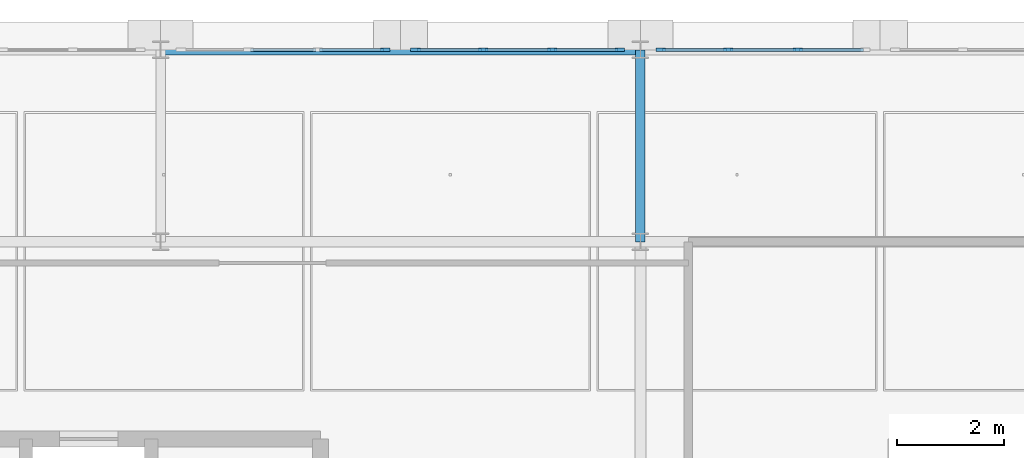
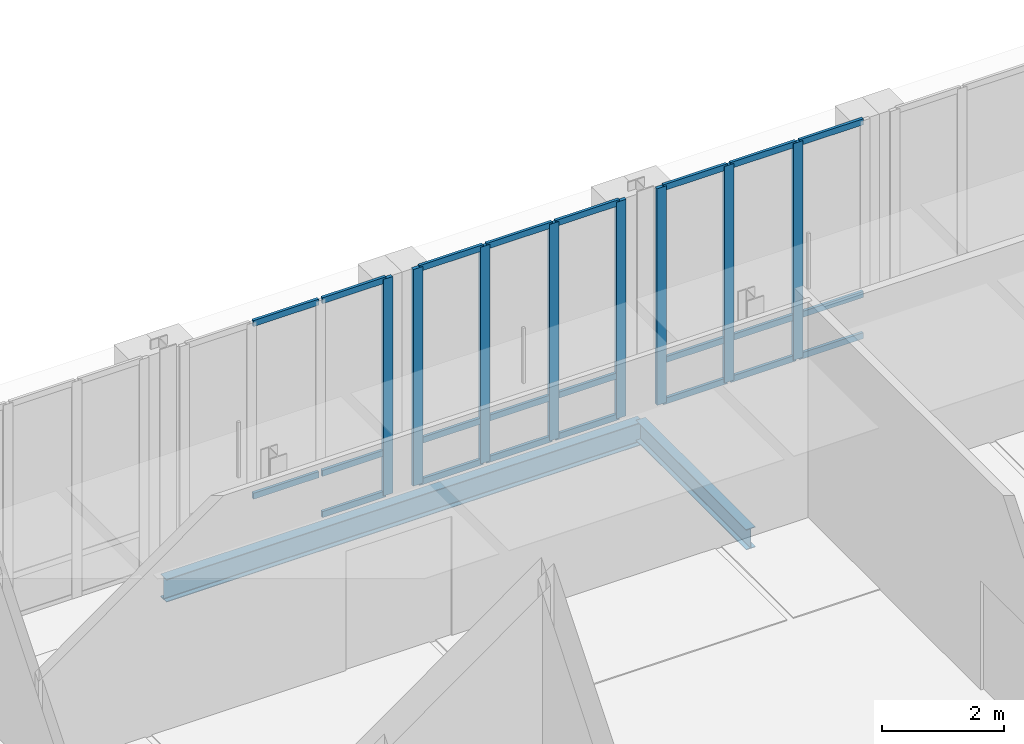
# One storey, part 29 of 89: 31 members, 2 beams, 3 elements without a shape of their own.
"""IFC4 building model written with IfcOpenShell, lengths in metres."""

import ifcopenshell
import ifcopenshell.guid

model = None  # the IFC model being written
_history = None  # IfcOwnerHistory: only IFC2X3 demands one
_inside = {}  # id of a spatial element -> (the spatial element, [elements in it])
_under = {}  # id of a project, library or spatial element -> (it, [spatial elements below it])
_declared = {}  # id of a project -> (the project, [libraries it declares])
_typed = {}  # id of a type object -> (the type object, [elements of that type])
_made_of = {}  # id of a material, layer set ... -> (it, [elements and type objects made of it])


def new_model(schema):
    """Start an empty IFC model of exactly this schema.

    Asked for "IFC4X3", IfcOpenShell would pick the latest addendum, in which some entities
    have other attributes; the version numbers below select the first issue.
    IFC2X3 requires an IfcOwnerHistory on every rooted entity: one is made here for all.
    """
    global model, _history
    if schema == "IFC4X3":
        model = ifcopenshell.file(schema_version=(4, 3, 0, 0))
    else:
        model = ifcopenshell.file(schema=schema)
    _inside.clear()
    _under.clear()
    _declared.clear()
    _typed.clear()
    _made_of.clear()
    _history = None
    if model.schema == "IFC2X3":
        org = make("IfcOrganization", Name="unknown")
        user = make(
            "IfcPersonAndOrganization",
            ThePerson=make("IfcPerson", FamilyName="unknown"),
            TheOrganization=org,
        )
        app = make(
            "IfcApplication",
            ApplicationDeveloper=org,
            Version="unknown",
            ApplicationFullName="unknown",
            ApplicationIdentifier="unknown",
        )
        _history = make(
            "IfcOwnerHistory",
            OwningUser=user,
            OwningApplication=app,
            ChangeAction="ADDED",
            CreationDate=0,
        )
    return model


def make(cls, **values):
    """One entity of the class cls with the attributes given. An attribute that is None is left unset."""
    return model.create_entity(
        cls, **{name: value for name, value in values.items() if value is not None}
    )


def rooted(cls, **values):
    """An entity with a GlobalId (a new one), such as an element, a storey or a relation."""
    return make(cls, GlobalId=ifcopenshell.guid.new(), OwnerHistory=_history, **values)


def si_unit(unit_type, name, prefix=None):
    """IfcSIUnit, for example si_unit("LENGTHUNIT", "METRE", prefix="MILLI")."""
    return make("IfcSIUnit", UnitType=unit_type, Prefix=prefix, Name=name)


def assignment(units):
    """IfcUnitAssignment: the units of a project."""
    return None if units is None else make("IfcUnitAssignment", Units=units)


def point(xyz):
    """IfcCartesianPoint."""
    return None if xyz is None else make("IfcCartesianPoint", Coordinates=xyz)


def direction(xyz):
    """IfcDirection."""
    return None if xyz is None else make("IfcDirection", DirectionRatios=xyz)


def frame(location, z_axis=None, x_axis=None):
    """IfcAxis2Placement3D, a coordinate frame: its origin and axes. An axis left out is left unset."""
    return make(
        "IfcAxis2Placement3D",
        Location=point(location),
        Axis=direction(z_axis),
        RefDirection=direction(x_axis),
    )


def frame_2d(location, x_axis=None):
    """IfcAxis2Placement2D, a coordinate frame in the plane: its origin and x axis."""
    return make(
        "IfcAxis2Placement2D", Location=point(location), RefDirection=direction(x_axis)
    )


def origin():
    """The frame at (0, 0, 0) with its axes left unset."""
    return frame((0.0, 0.0, 0.0))


def origin_2d():
    """The frame at (0, 0) in the plane with its x axis left unset."""
    return frame_2d((0.0, 0.0))


def place(relative_to, where):
    """IfcLocalPlacement: puts the frame where relative to a parent placement (None: the world)."""
    return make(
        "IfcLocalPlacement", PlacementRelTo=relative_to, RelativePlacement=where
    )


def context(
    kind, dimensions, precision=None, world=None, true_north=None, identifier=None
):
    """IfcGeometricRepresentationContext, for example the 3D "Model" context."""
    return make(
        "IfcGeometricRepresentationContext",
        ContextIdentifier=identifier,
        ContextType=kind,
        CoordinateSpaceDimension=dimensions,
        Precision=precision,
        WorldCoordinateSystem=world,
        TrueNorth=true_north,
    )


def subcontext(parent, identifier, kind, view, scale=None):
    """IfcGeometricRepresentationSubContext, for example "Body" below "Model"."""
    return make(
        "IfcGeometricRepresentationSubContext",
        ContextIdentifier=identifier,
        ContextType=kind,
        ParentContext=parent,
        TargetScale=scale,
        TargetView=view,
    )


def project(units=None, contexts=None):
    """IfcProject with its units and contexts."""
    return rooted(
        "IfcProject",
        Name="project",
        RepresentationContexts=contexts,
        UnitsInContext=assignment(units),
    )


def spatial(cls, under=None, at=None, **own):
    """A site, building, storey or space (cls), placed at a placement, below another one or the project."""
    s = rooted(cls, ObjectPlacement=at, **own)
    if under is not None:
        _under.setdefault(under.id(), (under, []))[1].append(s)
    return s


def profile(cls, at=None, kind="AREA", **sizes):
    """A parametric profile (cls). Its sizes go by their IFC names, for example OverallWidth=200.0."""
    return make(cls, ProfileType=kind, Position=at, **sizes)


def rectangle(**sizes):
    """IfcRectangleProfileDef."""
    return profile("IfcRectangleProfileDef", **sizes)


def i_section(**sizes):
    """IfcIShapeProfileDef."""
    return profile("IfcIShapeProfileDef", **sizes)


def extrude(swept, where, along, depth):
    """IfcExtrudedAreaSolid: the profile swept, set in the frame where, extruded along a direction by depth."""
    return make(
        "IfcExtrudedAreaSolid",
        SweptArea=swept,
        Position=where,
        ExtrudedDirection=direction(along),
        Depth=depth,
    )


def shape(context_of_items, identifier, shape_type, items):
    """IfcShapeRepresentation: the items that make up one representation, for example the "Body"."""
    return make(
        "IfcShapeRepresentation",
        ContextOfItems=context_of_items,
        RepresentationIdentifier=identifier,
        RepresentationType=shape_type,
        Items=items,
    )


def material(Name=None, Category=None):
    """IfcMaterial."""
    return make("IfcMaterial", Name=Name, Category=Category)


def material_profile(
    of_material, cross_section, Name=None, Category=None, Priority=None
):
    """IfcMaterialProfile: a cross section and its material."""
    return make(
        "IfcMaterialProfile",
        Name=Name,
        Material=of_material,
        Profile=cross_section,
        Priority=Priority,
        Category=Category,
    )


def profile_set(profiles, Name=None, composite=None):
    """IfcMaterialProfileSet."""
    return make(
        "IfcMaterialProfileSet",
        Name=Name,
        MaterialProfiles=profiles,
        CompositeProfile=composite,
    )


def made_of(thing, what):
    """Note that an element or type object is made of a material, layer set ...; save() writes the relation."""
    if what is not None:
        _made_of.setdefault(what.id(), (what, []))[1].append(thing)
    return thing


def type_object(cls, material=None, **own):
    """A type object (cls), such as IfcWallType, which elements share."""
    return made_of(rooted(cls, **own), material)


def element(
    cls,
    number,
    at=None,
    inside=None,
    cuts=None,
    type_object=None,
    material=None,
    context=None,
    identifier="Body",
    shape_type=None,
    held_by="IfcProductDefinitionShape",
    body=None,
    shapes=None,
    **own,
):
    """One element of the class cls, such as IfcWall. Its Tag is "e" and its number.

    at: its placement. inside: the storey or other place that contains it. cuts: it is an
    opening in that element (IfcRelVoidsElement). A single representation is given by context,
    identifier, shape_type and body (its items); several are given by shapes. held_by: the class
    of the entity that holds the representations. save() writes the other relations.
    """
    e = rooted(cls, Tag="e%d" % number, ObjectPlacement=at, **own)
    if body is not None:
        shapes = [shape(context, identifier, shape_type, body)]
    if shapes is not None:
        e.Representation = make(held_by, Representations=shapes)
    if inside is not None:
        _inside.setdefault(inside.id(), (inside, []))[1].append(e)
    if cuts is not None:
        rooted(
            "IfcRelVoidsElement", RelatingBuildingElement=cuts, RelatedOpeningElement=e
        )
    if type_object is not None:
        _typed.setdefault(type_object.id(), (type_object, []))[1].append(e)
    return made_of(e, material)


def aggregate(whole, parts):
    """IfcRelAggregates: a whole, such as a stair, and the parts it consists of."""
    return rooted("IfcRelAggregates", RelatingObject=whole, RelatedObjects=parts)


def save(model, path):
    """Write the relations noted so far, then the file.

    IfcRelAggregates (storeys below a building ...), IfcRelContainedInSpatialStructure (elements
    in a storey), IfcRelDefinesByType, IfcRelAssociatesMaterial and IfcRelDeclares: one each for
    every whole, place, type object, material and project.
    """
    for whole, parts in _under.values():
        aggregate(whole, parts)
    for where, things in _inside.values():
        rooted(
            "IfcRelContainedInSpatialStructure",
            RelatedElements=things,
            RelatingStructure=where,
        )
    for kind, things in _typed.values():
        rooted("IfcRelDefinesByType", RelatedObjects=things, RelatingType=kind)
    for what, things in _made_of.values():
        rooted("IfcRelAssociatesMaterial", RelatedObjects=things, RelatingMaterial=what)
    for by, libraries in _declared.values():
        rooted("IfcRelDeclares", RelatingContext=by, RelatedDefinitions=libraries)
    model.write(path)


model = new_model("IFC4")

# Units and contexts
model_context = context("Model", 3, precision=1e-05, world=origin(), true_north=direction((0.0, 1.0)))
body_context = subcontext(model_context, "Body", "Model", "MODEL_VIEW")
ifc_project = project(units=[si_unit("LENGTHUNIT", "METRE"), si_unit("AREAUNIT", "SQUARE_METRE"), si_unit("VOLUMEUNIT", "CUBIC_METRE"), si_unit("PLANEANGLEUNIT", "RADIAN"), si_unit("MASSUNIT", "GRAM", prefix="KILO"), si_unit("THERMODYNAMICTEMPERATUREUNIT", "KELVIN"), si_unit("POWERUNIT", "WATT")], contexts=[model_context])

# Site, building, storey
site_placement = place(None, origin())
site = spatial("IfcSite", under=ifc_project, at=site_placement, CompositionType="ELEMENT")
building_placement = place(site_placement, origin())
building = spatial("IfcBuilding", under=site, at=building_placement, Name="Tallowbark Science Centre", CompositionType="ELEMENT")
storey_placement = place(building_placement, frame((0.0, 0.0, 14.39990234375)))
storey = spatial("IfcBuildingStorey", under=building, at=storey_placement, Name="L03", CompositionType="ELEMENT", Elevation=14.39990234375)

# Beam
ifc_material_1 = material(Name="Structural Steel Grade 300PLUS (300 MPa)", Category="steel")
ifc_material_profile_1 = material_profile(ifc_material_1, i_section(OverallWidth=0.177734375, OverallDepth=0.406494140625, WebThickness=0.0078125, FlangeThickness=0.0126953125, FilletRadius=0.011474609375, at=origin_2d()), Name="410UB59.7")
ifc_profile_set_1 = profile_set([ifc_material_profile_1], Name="Structural Steel Grade 300PLUS (300 MPa)")
beam_type_1 = type_object("IfcBeamType", Name="BM-UB410", PredefinedType="BEAM", material=ifc_profile_set_1)
beam_1_placement = place(storey_placement, frame((130.5, 108.0, -0.383056640625), z_axis=(0.0, 1.0, 0.0), x_axis=(-1.0, 0.0, 0.0)))
element("IfcBeam", 1, at=beam_1_placement, inside=storey, type_object=beam_type_1, Name="Primary Girder GRDY-L03-1305-1080-1116", PredefinedType="BEAM", context=body_context, shape_type="SweptSolid", body=[
    extrude(i_section(OverallWidth=0.177734375, OverallDepth=0.406494140625, WebThickness=0.0078125, FlangeThickness=0.0126953125, FilletRadius=0.011474609375, at=origin_2d()), origin(), (0.0, 0.0, 1.0), 3.60009765625),
])

# Curtain wall, members
ifc_material_2 = material(Name="Unitised Thermally Broken Aluminium and Low-E Double Glazing", Category="aluminium")
curtain_wall_type = type_object("IfcCurtainWallType", Name="CW-SYS-FACADE", PredefinedType="NOTDEFINED", material=ifc_material_2)
curtain_wall_1_placement = place(storey_placement, origin())
curtain_wall_1 = element("IfcCurtainWall", 2, at=curtain_wall_1_placement, inside=storey, type_object=curtain_wall_type, Name="Unitised Curtain Wall OBS-N-121A CW-L03-170", PredefinedType="NOTDEFINED")
ifc_material_3 = material(Name="Anodised Architectural Aluminium Alloy 6063-T6", Category="aluminium")
ifc_material_profile_2 = material_profile(ifc_material_3, rectangle(XDim=0.06494140625, YDim=0.179931640625, at=origin_2d()), Name="ALU65x180")
ifc_profile_set_2 = profile_set([ifc_material_profile_2], Name="Anodised Architectural Aluminium Alloy 6063-T6")
member_type_1 = type_object("IfcMemberType", Name="CWM-MUL-220", PredefinedType="MULLION", material=ifc_profile_set_2)
member_1_placement = place(storey_placement, frame((130.117431640625, 111.60009765625, 0.0), z_axis=(0.0, 0.0, 1.0), x_axis=(0.0, -1.0, 0.0)))
member_1 = element("IfcMember", 3, at=member_1_placement, type_object=member_type_1, Name="CW-01 mullion 1", PredefinedType="MULLION", context=body_context, shape_type="SweptSolid", body=[
    extrude(rectangle(XDim=0.06494140625, YDim=0.179931640625, at=origin_2d()), origin(), (0.0, 0.0, 1.0), 4.320068359375),
])
member_2_placement = place(storey_placement, frame((128.85009765625, 111.60009765625, 0.0), z_axis=(0.0, 0.0, 1.0), x_axis=(0.0, -1.0, 0.0)))
member_2 = element("IfcMember", 4, at=member_2_placement, type_object=member_type_1, Name="CW-01 mullion 2", PredefinedType="MULLION", context=body_context, shape_type="SweptSolid", body=[
    extrude(rectangle(XDim=0.06494140625, YDim=0.179931640625, at=origin_2d()), origin(), (0.0, 0.0, 1.0), 4.320068359375),
])
member_3_placement = place(storey_placement, frame((127.550048828125, 111.60009765625, 0.0), z_axis=(0.0, 0.0, 1.0), x_axis=(0.0, -1.0, 0.0)))
member_3 = element("IfcMember", 5, at=member_3_placement, type_object=member_type_1, Name="CW-01 mullion 3", PredefinedType="MULLION", context=body_context, shape_type="SweptSolid", body=[
    extrude(rectangle(XDim=0.06494140625, YDim=0.179931640625, at=origin_2d()), origin(), (0.0, 0.0, 1.0), 4.320068359375),
])
member_4_placement = place(storey_placement, frame((126.282470703125, 111.60009765625, 0.0), z_axis=(0.0, 0.0, 1.0), x_axis=(0.0, -1.0, 0.0)))
member_4 = element("IfcMember", 6, at=member_4_placement, type_object=member_type_1, Name="CW-01 mullion 4", PredefinedType="MULLION", context=body_context, shape_type="SweptSolid", body=[
    extrude(rectangle(XDim=0.06494140625, YDim=0.179931640625, at=origin_2d()), origin(), (0.0, 0.0, 1.0), 4.320068359375),
])

# Curtain wall, member
curtain_wall_2_placement = place(storey_placement, origin())
curtain_wall_2 = element("IfcCurtainWall", 7, at=curtain_wall_2_placement, inside=storey, type_object=curtain_wall_type, Name="Unitised Curtain Wall OBS-N-121B CW-L03-171", PredefinedType="NOTDEFINED")
member_5_placement = place(storey_placement, frame((125.717529296875, 111.60009765625, 0.0), z_axis=(0.0, 0.0, 1.0), x_axis=(0.0, -1.0, 0.0)))
member_5 = element("IfcMember", 8, at=member_5_placement, type_object=member_type_1, Name="CW-01 mullion 1", PredefinedType="MULLION", context=body_context, shape_type="SweptSolid", body=[
    extrude(rectangle(XDim=0.06494140625, YDim=0.179931640625, at=origin_2d()), origin(), (0.0, 0.0, 1.0), 4.320068359375),
])

# Curtain wall, members
curtain_wall_3_placement = place(storey_placement, origin())
curtain_wall_3 = element("IfcCurtainWall", 9, at=curtain_wall_3_placement, inside=storey, type_object=curtain_wall_type, Name="Unitised Curtain Wall OBS-N-130B CW-L03-175", PredefinedType="NOTDEFINED")
member_6_placement = place(storey_placement, frame((133.449951171875, 111.60009765625, 0.0), z_axis=(0.0, 0.0, 1.0), x_axis=(0.0, -1.0, 0.0)))
member_6 = element("IfcMember", 10, at=member_6_placement, type_object=member_type_1, Name="CW-01 mullion 2", PredefinedType="MULLION", context=body_context, shape_type="SweptSolid", body=[
    extrude(rectangle(XDim=0.06494140625, YDim=0.179931640625, at=origin_2d()), origin(), (0.0, 0.0, 1.0), 4.320068359375),
])
member_7_placement = place(storey_placement, frame((132.14990234375, 111.60009765625, 0.0), z_axis=(0.0, 0.0, 1.0), x_axis=(0.0, -1.0, 0.0)))
member_7 = element("IfcMember", 11, at=member_7_placement, type_object=member_type_1, Name="CW-01 mullion 3", PredefinedType="MULLION", context=body_context, shape_type="SweptSolid", body=[
    extrude(rectangle(XDim=0.06494140625, YDim=0.179931640625, at=origin_2d()), origin(), (0.0, 0.0, 1.0), 4.320068359375),
])
member_8_placement = place(storey_placement, frame((130.882568359375, 111.60009765625, 0.0), z_axis=(0.0, 0.0, 1.0), x_axis=(0.0, -1.0, 0.0)))
member_8 = element("IfcMember", 12, at=member_8_placement, type_object=member_type_1, Name="CW-01 mullion 4", PredefinedType="MULLION", context=body_context, shape_type="SweptSolid", body=[
    extrude(rectangle(XDim=0.06494140625, YDim=0.179931640625, at=origin_2d()), origin(), (0.0, 0.0, 1.0), 4.320068359375),
])

# Member
ifc_material_profile_3 = material_profile(ifc_material_3, rectangle(XDim=0.054931640625, YDim=0.1201171875, at=origin_2d()), Name="ALU55x120")
ifc_profile_set_3 = profile_set([ifc_material_profile_3], Name="Anodised Architectural Aluminium Alloy 6063-T6")
member_type_2 = type_object("IfcMemberType", Name="CWM-TRN-150", PredefinedType="USERDEFINED", material=ifc_profile_set_3)
member_9_placement = place(storey_placement, frame((130.0849609375, 111.60009765625, 0.027587890625), z_axis=(-1.0, 0.0, 0.0), x_axis=(0.0, -1.0, 0.0)))
member_9 = element("IfcMember", 13, at=member_9_placement, type_object=member_type_2, Name="CW-01 transom 1.1", ObjectType="TRANSOM", PredefinedType="USERDEFINED", context=body_context, shape_type="SweptSolid", body=[
    extrude(rectangle(XDim=0.054931640625, YDim=0.1201171875, at=origin_2d()), origin(), (0.0, 0.0, 1.0), 1.202392578125),
])

member_10_placement = place(storey_placement, frame((130.0849609375, 111.60009765625, 0.85009765625), z_axis=(-1.0, 0.0, 0.0), x_axis=(0.0, -1.0, 0.0)))
member_10 = element("IfcMember", 14, at=member_10_placement, type_object=member_type_2, Name="CW-01 transom 1.2", ObjectType="TRANSOM", PredefinedType="USERDEFINED", context=body_context, shape_type="SweptSolid", body=[
    extrude(rectangle(XDim=0.054931640625, YDim=0.1201171875, at=origin_2d()), origin(), (0.0, 0.0, 1.0), 1.202392578125),
])

member_11_placement = place(storey_placement, frame((130.0849609375, 111.60009765625, 4.29248046875), z_axis=(-1.0, 0.0, 0.0), x_axis=(0.0, -1.0, 0.0)))
member_11 = element("IfcMember", 15, at=member_11_placement, type_object=member_type_2, Name="CW-01 transom 1.3", ObjectType="TRANSOM", PredefinedType="USERDEFINED", context=body_context, shape_type="SweptSolid", body=[
    extrude(rectangle(XDim=0.054931640625, YDim=0.1201171875, at=origin_2d()), origin(), (0.0, 0.0, 1.0), 1.202392578125),
])

member_12_placement = place(storey_placement, frame((128.8173828125, 111.60009765625, 0.027587890625), z_axis=(-1.0, 0.0, 0.0), x_axis=(0.0, -1.0, 0.0)))
member_12 = element("IfcMember", 16, at=member_12_placement, type_object=member_type_2, Name="CW-01 transom 2.1", ObjectType="TRANSOM", PredefinedType="USERDEFINED", context=body_context, shape_type="SweptSolid", body=[
    extrude(rectangle(XDim=0.054931640625, YDim=0.1201171875, at=origin_2d()), origin(), (0.0, 0.0, 1.0), 1.23486328125),
])

member_13_placement = place(storey_placement, frame((128.8173828125, 111.60009765625, 0.85009765625), z_axis=(-1.0, 0.0, 0.0), x_axis=(0.0, -1.0, 0.0)))
member_13 = element("IfcMember", 17, at=member_13_placement, type_object=member_type_2, Name="CW-01 transom 2.2", ObjectType="TRANSOM", PredefinedType="USERDEFINED", context=body_context, shape_type="SweptSolid", body=[
    extrude(rectangle(XDim=0.054931640625, YDim=0.1201171875, at=origin_2d()), origin(), (0.0, 0.0, 1.0), 1.23486328125),
])

member_14_placement = place(storey_placement, frame((128.8173828125, 111.60009765625, 4.29248046875), z_axis=(-1.0, 0.0, 0.0), x_axis=(0.0, -1.0, 0.0)))
member_14 = element("IfcMember", 18, at=member_14_placement, type_object=member_type_2, Name="CW-01 transom 2.3", ObjectType="TRANSOM", PredefinedType="USERDEFINED", context=body_context, shape_type="SweptSolid", body=[
    extrude(rectangle(XDim=0.054931640625, YDim=0.1201171875, at=origin_2d()), origin(), (0.0, 0.0, 1.0), 1.23486328125),
])

member_15_placement = place(storey_placement, frame((127.517578125, 111.60009765625, 0.027587890625), z_axis=(-1.0, 0.0, 0.0), x_axis=(0.0, -1.0, 0.0)))
member_15 = element("IfcMember", 19, at=member_15_placement, type_object=member_type_2, Name="CW-01 transom 3.1", ObjectType="TRANSOM", PredefinedType="USERDEFINED", context=body_context, shape_type="SweptSolid", body=[
    extrude(rectangle(XDim=0.054931640625, YDim=0.1201171875, at=origin_2d()), origin(), (0.0, 0.0, 1.0), 1.20263671875),
])

member_16_placement = place(storey_placement, frame((127.517578125, 111.60009765625, 0.85009765625), z_axis=(-1.0, 0.0, 0.0), x_axis=(0.0, -1.0, 0.0)))
member_16 = element("IfcMember", 20, at=member_16_placement, type_object=member_type_2, Name="CW-01 transom 3.2", ObjectType="TRANSOM", PredefinedType="USERDEFINED", context=body_context, shape_type="SweptSolid", body=[
    extrude(rectangle(XDim=0.054931640625, YDim=0.1201171875, at=origin_2d()), origin(), (0.0, 0.0, 1.0), 1.20263671875),
])

member_17_placement = place(storey_placement, frame((127.517578125, 111.60009765625, 4.29248046875), z_axis=(-1.0, 0.0, 0.0), x_axis=(0.0, -1.0, 0.0)))
member_17 = element("IfcMember", 21, at=member_17_placement, type_object=member_type_2, Name="CW-01 transom 3.3", ObjectType="TRANSOM", PredefinedType="USERDEFINED", context=body_context, shape_type="SweptSolid", body=[
    extrude(rectangle(XDim=0.054931640625, YDim=0.1201171875, at=origin_2d()), origin(), (0.0, 0.0, 1.0), 1.20263671875),
])

aggregate(curtain_wall_1, [member_1, member_2, member_3, member_4, member_9, member_10, member_11, member_12, member_13, member_14, member_15, member_16, member_17])

member_18_placement = place(storey_placement, frame((125.68505859375, 111.60009765625, 0.027587890625), z_axis=(-1.0, 0.0, 0.0), x_axis=(0.0, -1.0, 0.0)))
member_18 = element("IfcMember", 22, at=member_18_placement, type_object=member_type_2, Name="CW-01 transom 1.1", ObjectType="TRANSOM", PredefinedType="USERDEFINED", context=body_context, shape_type="SweptSolid", body=[
    extrude(rectangle(XDim=0.054931640625, YDim=0.1201171875, at=origin_2d()), origin(), (0.0, 0.0, 1.0), 1.20263671875),
])

member_19_placement = place(storey_placement, frame((125.68505859375, 111.60009765625, 0.85009765625), z_axis=(-1.0, 0.0, 0.0), x_axis=(0.0, -1.0, 0.0)))
member_19 = element("IfcMember", 23, at=member_19_placement, type_object=member_type_2, Name="CW-01 transom 1.2", ObjectType="TRANSOM", PredefinedType="USERDEFINED", context=body_context, shape_type="SweptSolid", body=[
    extrude(rectangle(XDim=0.054931640625, YDim=0.1201171875, at=origin_2d()), origin(), (0.0, 0.0, 1.0), 1.20263671875),
])

member_20_placement = place(storey_placement, frame((125.68505859375, 111.60009765625, 4.29248046875), z_axis=(-1.0, 0.0, 0.0), x_axis=(0.0, -1.0, 0.0)))
member_20 = element("IfcMember", 24, at=member_20_placement, type_object=member_type_2, Name="CW-01 transom 1.3", ObjectType="TRANSOM", PredefinedType="USERDEFINED", context=body_context, shape_type="SweptSolid", body=[
    extrude(rectangle(XDim=0.054931640625, YDim=0.1201171875, at=origin_2d()), origin(), (0.0, 0.0, 1.0), 1.20263671875),
])

member_21_placement = place(storey_placement, frame((124.41748046875, 111.60009765625, 0.85009765625), z_axis=(-1.0, 0.0, 0.0), x_axis=(0.0, -1.0, 0.0)))
member_21 = element("IfcMember", 25, at=member_21_placement, type_object=member_type_2, Name="CW-01 transom 2.2", ObjectType="TRANSOM", PredefinedType="USERDEFINED", context=body_context, shape_type="SweptSolid", body=[
    extrude(rectangle(XDim=0.054931640625, YDim=0.1201171875, at=origin_2d()), origin(), (0.0, 0.0, 1.0), 1.23486328125),
])

member_22_placement = place(storey_placement, frame((124.41748046875, 111.60009765625, 4.29248046875), z_axis=(-1.0, 0.0, 0.0), x_axis=(0.0, -1.0, 0.0)))
member_22 = element("IfcMember", 26, at=member_22_placement, type_object=member_type_2, Name="CW-01 transom 2.3", ObjectType="TRANSOM", PredefinedType="USERDEFINED", context=body_context, shape_type="SweptSolid", body=[
    extrude(rectangle(XDim=0.054931640625, YDim=0.1201171875, at=origin_2d()), origin(), (0.0, 0.0, 1.0), 1.23486328125),
])

aggregate(curtain_wall_2, [member_5, member_18, member_19, member_20, member_21, member_22])

member_23_placement = place(storey_placement, frame((134.68505859375, 111.60009765625, 0.027587890625), z_axis=(-1.0, 0.0, 0.0), x_axis=(0.0, -1.0, 0.0)))
member_23 = element("IfcMember", 27, at=member_23_placement, type_object=member_type_2, Name="CW-01 transom 1.1", ObjectType="TRANSOM", PredefinedType="USERDEFINED", context=body_context, shape_type="SweptSolid", body=[
    extrude(rectangle(XDim=0.054931640625, YDim=0.1201171875, at=origin_2d()), origin(), (0.0, 0.0, 1.0), 1.20263671875),
])

member_24_placement = place(storey_placement, frame((134.68505859375, 111.60009765625, 0.85009765625), z_axis=(-1.0, 0.0, 0.0), x_axis=(0.0, -1.0, 0.0)))
member_24 = element("IfcMember", 28, at=member_24_placement, type_object=member_type_2, Name="CW-01 transom 1.2", ObjectType="TRANSOM", PredefinedType="USERDEFINED", context=body_context, shape_type="SweptSolid", body=[
    extrude(rectangle(XDim=0.054931640625, YDim=0.1201171875, at=origin_2d()), origin(), (0.0, 0.0, 1.0), 1.20263671875),
])

member_25_placement = place(storey_placement, frame((134.68505859375, 111.60009765625, 4.29248046875), z_axis=(-1.0, 0.0, 0.0), x_axis=(0.0, -1.0, 0.0)))
member_25 = element("IfcMember", 29, at=member_25_placement, type_object=member_type_2, Name="CW-01 transom 1.3", ObjectType="TRANSOM", PredefinedType="USERDEFINED", context=body_context, shape_type="SweptSolid", body=[
    extrude(rectangle(XDim=0.054931640625, YDim=0.1201171875, at=origin_2d()), origin(), (0.0, 0.0, 1.0), 1.20263671875),
])

member_26_placement = place(storey_placement, frame((133.41748046875, 111.60009765625, 0.027587890625), z_axis=(-1.0, 0.0, 0.0), x_axis=(0.0, -1.0, 0.0)))
member_26 = element("IfcMember", 30, at=member_26_placement, type_object=member_type_2, Name="CW-01 transom 2.1", ObjectType="TRANSOM", PredefinedType="USERDEFINED", context=body_context, shape_type="SweptSolid", body=[
    extrude(rectangle(XDim=0.054931640625, YDim=0.1201171875, at=origin_2d()), origin(), (0.0, 0.0, 1.0), 1.23486328125),
])

member_27_placement = place(storey_placement, frame((133.41748046875, 111.60009765625, 0.85009765625), z_axis=(-1.0, 0.0, 0.0), x_axis=(0.0, -1.0, 0.0)))
member_27 = element("IfcMember", 31, at=member_27_placement, type_object=member_type_2, Name="CW-01 transom 2.2", ObjectType="TRANSOM", PredefinedType="USERDEFINED", context=body_context, shape_type="SweptSolid", body=[
    extrude(rectangle(XDim=0.054931640625, YDim=0.1201171875, at=origin_2d()), origin(), (0.0, 0.0, 1.0), 1.23486328125),
])

member_28_placement = place(storey_placement, frame((133.41748046875, 111.60009765625, 4.29248046875), z_axis=(-1.0, 0.0, 0.0), x_axis=(0.0, -1.0, 0.0)))
member_28 = element("IfcMember", 32, at=member_28_placement, type_object=member_type_2, Name="CW-01 transom 2.3", ObjectType="TRANSOM", PredefinedType="USERDEFINED", context=body_context, shape_type="SweptSolid", body=[
    extrude(rectangle(XDim=0.054931640625, YDim=0.1201171875, at=origin_2d()), origin(), (0.0, 0.0, 1.0), 1.23486328125),
])

member_29_placement = place(storey_placement, frame((132.117431640625, 111.60009765625, 0.027587890625), z_axis=(-1.0, 0.0, 0.0), x_axis=(0.0, -1.0, 0.0)))
member_29 = element("IfcMember", 33, at=member_29_placement, type_object=member_type_2, Name="CW-01 transom 3.1", ObjectType="TRANSOM", PredefinedType="USERDEFINED", context=body_context, shape_type="SweptSolid", body=[
    extrude(rectangle(XDim=0.054931640625, YDim=0.1201171875, at=origin_2d()), origin(), (0.0, 0.0, 1.0), 1.202392578125),
])

member_30_placement = place(storey_placement, frame((132.117431640625, 111.60009765625, 0.85009765625), z_axis=(-1.0, 0.0, 0.0), x_axis=(0.0, -1.0, 0.0)))
member_30 = element("IfcMember", 34, at=member_30_placement, type_object=member_type_2, Name="CW-01 transom 3.2", ObjectType="TRANSOM", PredefinedType="USERDEFINED", context=body_context, shape_type="SweptSolid", body=[
    extrude(rectangle(XDim=0.054931640625, YDim=0.1201171875, at=origin_2d()), origin(), (0.0, 0.0, 1.0), 1.202392578125),
])

member_31_placement = place(storey_placement, frame((132.117431640625, 111.60009765625, 4.29248046875), z_axis=(-1.0, 0.0, 0.0), x_axis=(0.0, -1.0, 0.0)))
member_31 = element("IfcMember", 35, at=member_31_placement, type_object=member_type_2, Name="CW-01 transom 3.3", ObjectType="TRANSOM", PredefinedType="USERDEFINED", context=body_context, shape_type="SweptSolid", body=[
    extrude(rectangle(XDim=0.054931640625, YDim=0.1201171875, at=origin_2d()), origin(), (0.0, 0.0, 1.0), 1.202392578125),
])

aggregate(curtain_wall_3, [member_6, member_7, member_8, member_23, member_24, member_25, member_26, member_27, member_28, member_29, member_30, member_31])

# Beam
ifc_material_profile_4 = material_profile(ifc_material_1, i_section(OverallWidth=0.18994140625, OverallDepth=0.453857421875, WebThickness=0.008544921875, FlangeThickness=0.0126953125, FilletRadius=0.011474609375, at=origin_2d()), Name="460UB67.1")
ifc_profile_set_4 = profile_set([ifc_material_profile_4], Name="Structural Steel Grade 300PLUS (300 MPa)")
beam_type_2 = type_object("IfcBeamType", Name="SPN-UB460", PredefinedType="SPANDREL", material=ifc_profile_set_4)
beam_2_placement = place(storey_placement, frame((121.5, 111.60009765625, -0.40673828125), z_axis=(1.0, 0.0, 0.0), x_axis=(0.0, 1.0, 0.0)))
element("IfcBeam", 36, at=beam_2_placement, inside=storey, type_object=beam_type_2, Name="Primary Girder GRDX-L03-1215-1305-1116", PredefinedType="SPANDREL", context=body_context, shape_type="SweptSolid", body=[
    extrude(i_section(OverallWidth=0.18994140625, OverallDepth=0.453857421875, WebThickness=0.008544921875, FlangeThickness=0.0126953125, FilletRadius=0.011474609375, at=origin_2d()), origin(), (0.0, 0.0, 1.0), 9.0),
])

save(model, "model.ifc")
